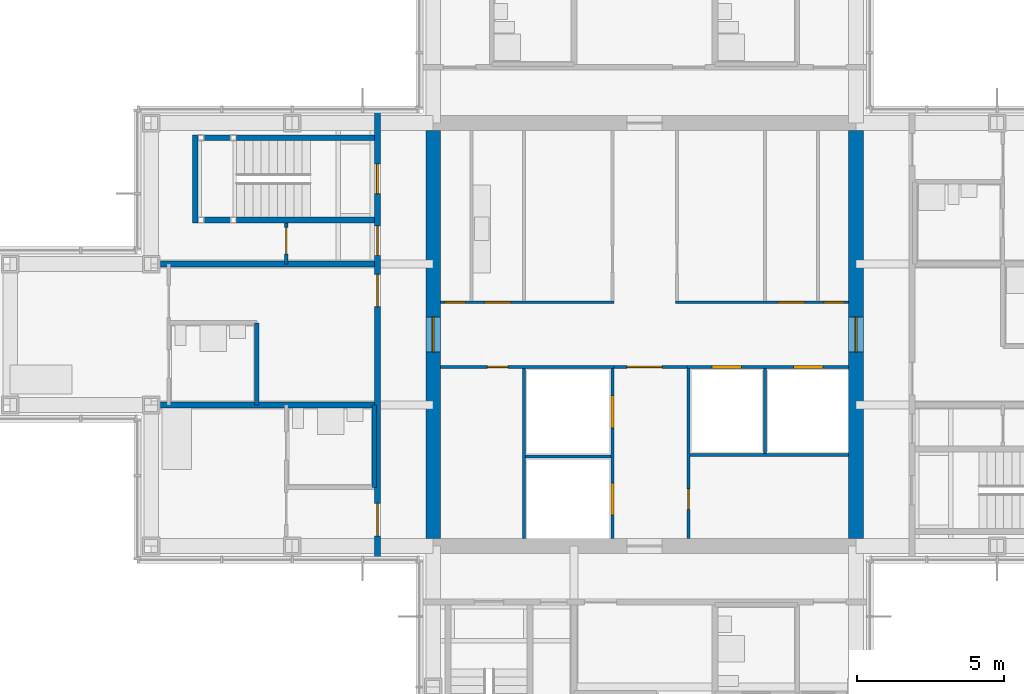
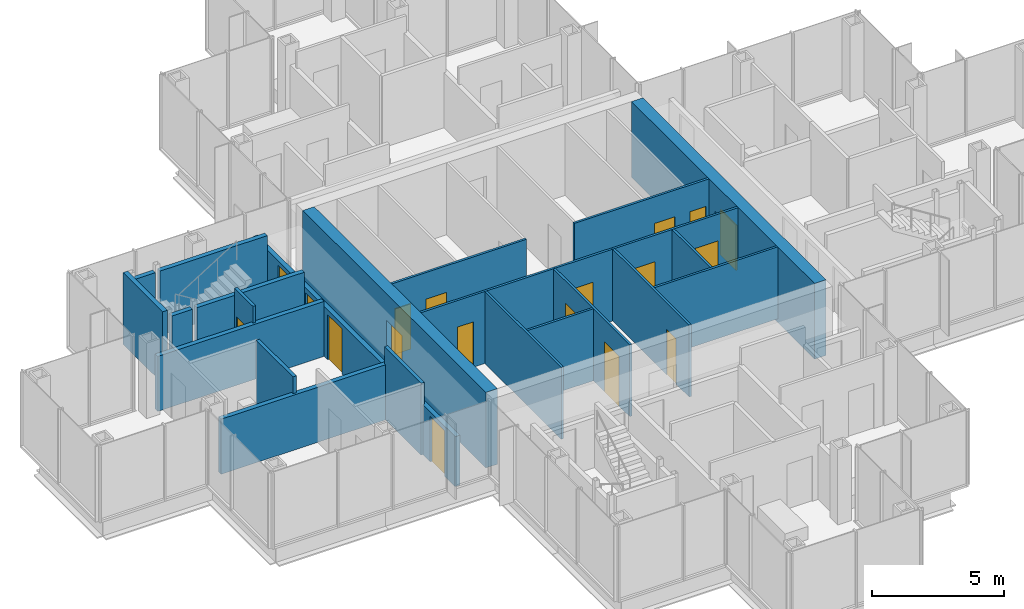
# One storey, part 12 of 17: 24 walls, 18 doors, 18 openings.
"""IFC4 building model written with IfcOpenShell, lengths in metres."""

from ifc_helpers import new_model, si_unit, direction, frame, frame_2d, origin, place, context, subcontext, project, spatial, rectangle, extrude, material, layer, layer_set, type_object, element, fill, save


model = new_model("IFC4")

# Units and contexts
model_context = context("Model", 3, precision=1e-05, world=origin(), true_north=direction((0.0, 1.0)))
body_context = subcontext(model_context, "Body", "Model", "MODEL_VIEW")
ifc_project = project(units=[si_unit("LENGTHUNIT", "METRE"), si_unit("AREAUNIT", "SQUARE_METRE"), si_unit("VOLUMEUNIT", "CUBIC_METRE"), si_unit("PLANEANGLEUNIT", "RADIAN"), si_unit("MASSUNIT", "GRAM", prefix="KILO")], contexts=[model_context])

# Site, building, storey
site_placement = place(None, origin())
site = spatial("IfcSite", under=ifc_project, at=site_placement, CompositionType="ELEMENT")
building_placement = place(site_placement, origin())
building = spatial("IfcBuilding", under=site, at=building_placement, Name="Kvirike Care Tower", CompositionType="ELEMENT")
storey_placement = place(building_placement, frame((0.0, 0.0, 179.5)))
storey = spatial("IfcBuildingStorey", under=building, at=storey_placement, Name="L49", CompositionType="ELEMENT", Elevation=179.5)

# Walls
ifc_material_1 = material(Name="Moisture-resistant board partition", Category="gypsum")
ifc_layer_1 = layer(ifc_material_1, 0.14990234375)
ifc_layer_set_1 = layer_set([ifc_layer_1], Name="BATHROOM WALL 150")
wall_type_1 = type_object("IfcWallType", Name="BATHROOM WALL 150", PredefinedType="PARTITIONING", material=ifc_layer_set_1)
wall_1_placement = place(storey_placement, frame((8.39990234375, 36.39990234375, 0.0), z_axis=(0.0, 0.0, 1.0), x_axis=(0.0, -1.0, 0.0)))
element("IfcWall", 1, at=wall_1_placement, inside=storey, type_object=wall_type_1, Name="Bathroom Wall 150 L49", PredefinedType="PARTITIONING", context=body_context, shape_type="SweptSolid", body=[
    extrude(rectangle(XDim=2.7998046875, YDim=0.14990234375, at=frame_2d((1.39990234375, 0.0))), origin(), (0.0, 0.0, 1.0), 3.330078125),
])
wall_2_placement = place(storey_placement, frame((12.39990234375, 33.60009765625, 0.0), z_axis=(0.0, 0.0, 1.0), x_axis=(0.0, -1.0, 0.0)))
element("IfcWall", 2, at=wall_2_placement, inside=storey, type_object=wall_type_1, Name="Bathroom Wall 150 L49", PredefinedType="PARTITIONING", context=body_context, shape_type="SweptSolid", body=[
    extrude(rectangle(XDim=2.800048828125, YDim=0.14990234375, at=frame_2d((1.39990234375, 0.0))), origin(), (0.0, 0.0, 1.0), 3.330078125),
])

# Wall, opening, door
ifc_material_2 = material(Name="Concrete C45/55", Category="concrete")
ifc_layer_2 = layer(ifc_material_2, 0.5)
ifc_layer_set_2 = layer_set([ifc_layer_2], Name="CORE WALL 500 C45-55")
wall_type_2 = type_object("IfcWallType", Name="CORE WALL 500 C45-55", PredefinedType="SHEAR", material=ifc_layer_set_2)
wall_3_placement = place(storey_placement, frame((14.39990234375, 42.949951171875, -0.169921875), z_axis=(0.0, 0.0, 1.0), x_axis=(0.0, -1.0, 0.0)))
wall_3 = element("IfcWall", 3, at=wall_3_placement, inside=storey, type_object=wall_type_2, Name="Core wall W L49", PredefinedType="SHEAR", context=body_context, shape_type="SweptSolid", body=[
    extrude(rectangle(XDim=13.89990234375, YDim=0.5, at=frame_2d((6.949951171875, 0.0))), origin(), (0.0, 0.0, 1.0), 3.5),
])
opening_1_placement = place(wall_3_placement, frame((6.35009765625, 0.0, 0.169921875)))
opening_1 = element("IfcOpeningElement", 4, at=opening_1_placement, cuts=wall_3, Name="Opening 49-050", PredefinedType="OPENING", context=body_context, shape_type="SweptSolid", body=[
    extrude(rectangle(XDim=1.199951171875, YDim=2.10009765625, at=frame_2d((0.60009765625, 1.050048828125))), frame((0.0, 0.260498046875, 0.0), z_axis=(0.0, -1.0, 0.0), x_axis=(1.0, 0.0, 0.0)), (0.0, 0.0, 1.0), 0.52099609375),
])
ifc_material_3 = material(Name="Timber door set", Category="wood")
door_type_1 = type_object("IfcDoorType", Name="CORE DOOR 1200", OperationType="SINGLE_SWING_LEFT", PredefinedType="DOOR", material=ifc_material_3)
door_1_placement = place(opening_1_placement, origin())
door_1 = element("IfcDoor", 5, at=door_1_placement, inside=storey, type_object=door_type_1, Name="Core door W L49", OperationType="SINGLE_SWING_LEFT", OverallHeight=2.10009765625, OverallWidth=1.199951171875, PredefinedType="DOOR", context=body_context, shape_type="SweptSolid", body=[
    extrude(rectangle(XDim=1.199951171875, YDim=2.10009765625, at=frame_2d((0.60009765625, 1.050048828125))), frame((0.0, 0.02685546875, 0.0), z_axis=(0.0, -1.0, 0.0), x_axis=(1.0, 0.0, 0.0)), (0.0, 0.0, 1.0), 0.053955078125),
])
fill(opening_1, door_1)

wall_4_placement = place(storey_placement, frame((28.800048828125, 29.050048828125, -0.169921875), z_axis=(0.0, 0.0, 1.0), x_axis=(0.0, 1.0, 0.0)))
wall_4 = element("IfcWall", 6, at=wall_4_placement, inside=storey, type_object=wall_type_2, Name="Core wall E L49", PredefinedType="SHEAR", context=body_context, shape_type="SweptSolid", body=[
    extrude(rectangle(XDim=13.89990234375, YDim=0.5, at=frame_2d((6.949951171875, 0.0))), origin(), (0.0, 0.0, 1.0), 3.5),
])
opening_2_placement = place(wall_4_placement, frame((6.35009765625, 0.0, 0.169921875)))
opening_2 = element("IfcOpeningElement", 7, at=opening_2_placement, cuts=wall_4, Name="Opening 49-051", PredefinedType="OPENING", context=body_context, shape_type="SweptSolid", body=[
    extrude(rectangle(XDim=1.199951171875, YDim=2.10009765625, at=frame_2d((0.60009765625, 1.050048828125))), frame((0.0, 0.260498046875, 0.0), z_axis=(0.0, -1.0, 0.0), x_axis=(1.0, 0.0, 0.0)), (0.0, 0.0, 1.0), 0.52099609375),
])
door_2_placement = place(opening_2_placement, origin())
door_2 = element("IfcDoor", 8, at=door_2_placement, inside=storey, type_object=door_type_1, Name="Core door E L49", OperationType="SINGLE_SWING_LEFT", OverallHeight=2.10009765625, OverallWidth=1.199951171875, PredefinedType="DOOR", context=body_context, shape_type="SweptSolid", body=[
    extrude(rectangle(XDim=1.199951171875, YDim=2.10009765625, at=frame_2d((0.60009765625, 1.050048828125))), frame((0.0, 0.02685546875, 0.0), z_axis=(0.0, -1.0, 0.0), x_axis=(1.0, 0.0, 0.0)), (0.0, 0.0, 1.0), 0.053955078125),
])
fill(opening_2, door_2)

# Wall, openings, doors
ifc_material_4 = material(Name="Plasterboard corridor wall", Category="gypsum")
ifc_layer_3 = layer(ifc_material_4, 0.199951171875)
ifc_layer_set_3 = layer_set([ifc_layer_3], Name="CORRIDOR WALL 200")
wall_type_3 = type_object("IfcWallType", Name="CORRIDOR WALL 200", PredefinedType="PARTITIONING", material=ifc_layer_set_3)
wall_5_placement = place(storey_placement, frame((12.5, 43.64990234375, 0.0), z_axis=(0.0, 0.0, 1.0), x_axis=(0.0, -1.0, 0.0)))
wall_5 = element("IfcWall", 9, at=wall_5_placement, inside=storey, type_object=wall_type_3, Name="Corridor Wall 200 L49", PredefinedType="PARTITIONING", context=body_context, shape_type="SweptSolid", body=[
    extrude(rectangle(XDim=15.2998046875, YDim=0.199951171875, at=frame_2d((7.64990234375, 0.0))), origin(), (0.0, 0.0, 1.0), 2.320068359375),
])
opening_3_placement = place(wall_5_placement, frame((1.85009765625, 0.0, 0.0)))
opening_3 = element("IfcOpeningElement", 10, at=opening_3_placement, cuts=wall_5, Name="Opening 49-006", PredefinedType="OPENING", context=body_context, shape_type="SweptSolid", body=[
    extrude(rectangle(XDim=1.0, YDim=2.10009765625, at=frame_2d((0.5, 1.050048828125))), frame((0.0, 0.110595703125, 0.0), z_axis=(0.0, -1.0, 0.0), x_axis=(1.0, 0.0, 0.0)), (0.0, 0.0, 1.0), 0.220947265625),
])
opening_4_placement = place(wall_5_placement, frame((3.949951171875, 0.0, 0.0)))
opening_4 = element("IfcOpeningElement", 11, at=opening_4_placement, cuts=wall_5, Name="Opening 49-007", PredefinedType="OPENING", context=body_context, shape_type="SweptSolid", body=[
    extrude(rectangle(XDim=1.0, YDim=2.10009765625, at=frame_2d((0.5, 1.050048828125))), frame((0.0, 0.110595703125, 0.0), z_axis=(0.0, -1.0, 0.0), x_axis=(1.0, 0.0, 0.0)), (0.0, 0.0, 1.0), 0.220947265625),
])
opening_5_placement = place(wall_5_placement, frame((5.60009765625, 0.0, 0.0)))
opening_5 = element("IfcOpeningElement", 12, at=opening_5_placement, cuts=wall_5, Name="Opening 49-008", PredefinedType="OPENING", context=body_context, shape_type="SweptSolid", body=[
    extrude(rectangle(XDim=1.10009765625, YDim=2.10009765625, at=frame_2d((0.550048828125, 1.050048828125))), frame((0.0, 0.110595703125, 0.0), z_axis=(0.0, -1.0, 0.0), x_axis=(1.0, 0.0, 0.0)), (0.0, 0.0, 1.0), 0.220947265625),
])
opening_6_placement = place(wall_5_placement, frame((13.39990234375, 0.0, 0.0)))
opening_6 = element("IfcOpeningElement", 13, at=opening_6_placement, cuts=wall_5, Name="Opening 49-009", PredefinedType="OPENING", context=body_context, shape_type="SweptSolid", body=[
    extrude(rectangle(XDim=1.10009765625, YDim=2.10009765625, at=frame_2d((0.550048828125, 1.050048828125))), frame((0.0, 0.110595703125, 0.0), z_axis=(0.0, -1.0, 0.0), x_axis=(1.0, 0.0, 0.0)), (0.0, 0.0, 1.0), 0.220947265625),
])
ifc_material_5 = material(Name="Timber door set", Category="wood")
door_type_2 = type_object("IfcDoorType", Name="BEDROOM ENTRANCE DOOR 1100", OperationType="SINGLE_SWING_LEFT", PredefinedType="DOOR", material=ifc_material_5)
door_3_placement = place(opening_5_placement, frame((1.10009765625, 0.0, 0.0), z_axis=(0.0, 0.0, 1.0), x_axis=(-1.0, 0.0, 0.0)))
door_3 = element("IfcDoor", 14, at=door_3_placement, inside=storey, type_object=door_type_2, Name="Memory care bedroom entrance", OperationType="SINGLE_SWING_LEFT", OverallHeight=2.10009765625, OverallWidth=1.10009765625, PredefinedType="DOOR", context=body_context, shape_type="SweptSolid", body=[
    extrude(rectangle(XDim=1.10009765625, YDim=2.10009765625, at=frame_2d((0.550048828125, 1.050048828125))), frame((0.0, 0.02685546875, 0.0), z_axis=(0.0, -1.0, 0.0), x_axis=(1.0, 0.0, 0.0)), (0.0, 0.0, 1.0), 0.053955078125),
])
fill(opening_5, door_3)
door_4_placement = place(opening_6_placement, frame((1.10009765625, 0.0, 0.0), z_axis=(0.0, 0.0, 1.0), x_axis=(-1.0, 0.0, 0.0)))
door_4 = element("IfcDoor", 15, at=door_4_placement, inside=storey, type_object=door_type_2, Name="Memory care bedroom entrance", OperationType="SINGLE_SWING_RIGHT", OverallHeight=2.10009765625, OverallWidth=1.10009765625, PredefinedType="DOOR", context=body_context, shape_type="SweptSolid", body=[
    extrude(rectangle(XDim=1.10009765625, YDim=2.10009765625, at=frame_2d((0.550048828125, 1.050048828125))), frame((0.0, 0.02685546875, 0.0), z_axis=(0.0, -1.0, 0.0), x_axis=(1.0, 0.0, 0.0)), (0.0, 0.0, 1.0), 0.053955078125),
])
fill(opening_6, door_4)
ifc_material_6 = material(Name="Timber door set", Category="wood")
door_type_3 = type_object("IfcDoorType", Name="FLAT ENTRANCE DOOR 1000", OperationType="SINGLE_SWING_LEFT", PredefinedType="DOOR", material=ifc_material_6)
door_5_placement = place(opening_4_placement, frame((1.0, 0.0, 0.0), z_axis=(0.0, 0.0, 1.0), x_axis=(-1.0, 0.0, 0.0)))
door_5 = element("IfcDoor", 16, at=door_5_placement, inside=storey, type_object=door_type_3, Name="Activity room entrance", OperationType="SINGLE_SWING_LEFT", OverallHeight=2.10009765625, OverallWidth=1.0, PredefinedType="DOOR", context=body_context, shape_type="SweptSolid", body=[
    extrude(rectangle(XDim=1.0, YDim=2.10009765625, at=frame_2d((0.5, 1.050048828125))), frame((0.0, 0.02685546875, 0.0), z_axis=(0.0, -1.0, 0.0), x_axis=(1.0, 0.0, 0.0)), (0.0, 0.0, 1.0), 0.053955078125),
])
fill(opening_4, door_5)
ifc_material_7 = material(Name="Timber door set", Category="wood")
door_type_4 = type_object("IfcDoorType", Name="STAIR DOOR 1000", OperationType="SINGLE_SWING_LEFT", PredefinedType="DOOR", material=ifc_material_7)
door_6_placement = place(opening_3_placement, frame((1.0, 0.0, 0.0), z_axis=(0.0, 0.0, 1.0), x_axis=(-1.0, 0.0, 0.0)))
door_6 = element("IfcDoor", 17, at=door_6_placement, inside=storey, type_object=door_type_4, Name="Stair 1 door", OperationType="SINGLE_SWING_LEFT", OverallHeight=2.10009765625, OverallWidth=1.0, PredefinedType="DOOR", context=body_context, shape_type="SweptSolid", body=[
    extrude(rectangle(XDim=1.0, YDim=2.10009765625, at=frame_2d((0.5, 1.050048828125))), frame((0.0, 0.031982421875, 0.0), z_axis=(0.0, -1.0, 0.0), x_axis=(1.0, 0.0, 0.0)), (0.0, 0.0, 1.0), 0.06396484375),
])
fill(opening_3, door_6)

# Wall, opening, door
ifc_material_8 = material(Name="Plasterboard partition", Category="gypsum")
ifc_layer_4 = layer(ifc_material_8, 0.1201171875)
ifc_layer_set_4 = layer_set([ifc_layer_4], Name="PARTITION 120")
wall_type_4 = type_object("IfcWallType", Name="PARTITION 120", PredefinedType="PARTITIONING", material=ifc_layer_set_4)
wall_6_placement = place(storey_placement, frame((9.39990234375, 39.800048828125, 0.0), z_axis=(0.0, 0.0, 1.0), x_axis=(0.0, -1.0, 0.0)))
wall_6 = element("IfcWall", 18, at=wall_6_placement, inside=storey, type_object=wall_type_4, Name="Partition 120 L49", PredefinedType="PARTITIONING", context=body_context, shape_type="SweptSolid", body=[
    extrude(rectangle(XDim=1.400146484375, YDim=0.1201171875, at=frame_2d((0.7001953125, 0.0))), origin(), (0.0, 0.0, 1.0), 3.330078125),
])
opening_7_placement = place(wall_6_placement, frame((0.14990234375, 0.0, 0.0)))
opening_7 = element("IfcOpeningElement", 19, at=opening_7_placement, cuts=wall_6, Name="Opening 49-001", PredefinedType="OPENING", context=body_context, shape_type="SweptSolid", body=[
    extrude(rectangle(XDim=0.89990234375, YDim=2.10009765625, at=frame_2d((0.449951171875, 1.050048828125))), frame((0.0, 0.070556640625, 0.0), z_axis=(0.0, -1.0, 0.0), x_axis=(1.0, 0.0, 0.0)), (0.0, 0.0, 1.0), 0.14111328125),
])
ifc_material_9 = material(Name="Timber door set", Category="wood")
door_type_5 = type_object("IfcDoorType", Name="INTERNAL DOOR 900", OperationType="SINGLE_SWING_LEFT", PredefinedType="DOOR", material=ifc_material_9)
door_7_placement = place(opening_7_placement, origin())
door_7 = element("IfcDoor", 20, at=door_7_placement, inside=storey, type_object=door_type_5, Name="Activity room door", OperationType="SINGLE_SWING_RIGHT", OverallHeight=2.10009765625, OverallWidth=0.89990234375, PredefinedType="DOOR", context=body_context, shape_type="SweptSolid", body=[
    extrude(rectangle(XDim=0.89990234375, YDim=2.10009765625, at=frame_2d((0.449951171875, 1.050048828125))), frame((0.0, 0.02197265625, 0.0), z_axis=(0.0, -1.0, 0.0), x_axis=(1.0, 0.0, 0.0)), (0.0, 0.0, 1.0), 0.0439453125),
])
fill(opening_7, door_7)

# Walls
ifc_material_10 = material(Name="Plasterboard party wall", Category="gypsum")
ifc_layer_5 = layer(ifc_material_10, 0.199951171875)
ifc_layer_set_5 = layer_set([ifc_layer_5], Name="PARTY WALL 200")
wall_type_5 = type_object("IfcWallType", Name="PARTY WALL 200", PredefinedType="PARTITIONING", material=ifc_layer_set_5)
for number, where, z_axis, x_axis, name in (
    (21, (5.1201171875, 38.39990234375, 0.0), (0.0, 0.0, 1.0), (1.0, 0.0, 0.0), "Party Wall 200 L49"),
    (22, (5.1201171875, 33.60009765625, 0.0), (0.0, 0.0, 1.0), (1.0, 0.0, 0.0), "Party Wall 200 L49"),
):
    element("IfcWall", number, at=place(storey_placement, frame(where, z_axis=z_axis, x_axis=x_axis)), inside=storey, type_object=wall_type_5, Name=name, PredefinedType="PARTITIONING", context=body_context, shape_type="SweptSolid", body=[
        extrude(rectangle(XDim=7.27978515625, YDim=0.199951171875, at=frame_2d((3.639892578125, 0.0))), origin(), (0.0, 0.0, 1.0), 2.550048828125),
    ])

# Wall, openings, doors
ifc_material_11 = material(Name="Gypsum shaft wall system", Category="gypsum")
ifc_layer_6 = layer(ifc_material_11, 0.10009765625)
ifc_layer_set_6 = layer_set([ifc_layer_6], Name="SHAFT WALL 100")
wall_type_6 = type_object("IfcWallType", Name="SHAFT WALL 100", PredefinedType="SOLIDWALL", material=ifc_layer_set_6)
wall_7_placement = place(storey_placement, frame((20.5, 29.050048828125, 0.0), z_axis=(0.0, 0.0, 1.0), x_axis=(0.0, 1.0, 0.0)))
wall_7 = element("IfcWall", 23, at=wall_7_placement, inside=storey, type_object=wall_type_6, Name="Shaft Wall 100 L49", PredefinedType="SOLIDWALL", context=body_context, shape_type="SweptSolid", body=[
    extrude(rectangle(XDim=5.800048828125, YDim=0.10009765625, at=frame_2d((2.89990234375, 0.0))), origin(), (0.0, 0.0, 1.0), 3.330078125),
])
opening_8_placement = place(wall_7_placement, frame((0.800048828125, 0.0, 0.0)))
opening_8 = element("IfcOpeningElement", 24, at=opening_8_placement, cuts=wall_7, Name="Opening 49-036", PredefinedType="OPENING", context=body_context, shape_type="SweptSolid", body=[
    extrude(rectangle(XDim=1.10009765625, YDim=2.300048828125, at=frame_2d((0.550048828125, 1.14990234375))), frame((0.0, 0.060546875, 0.0), z_axis=(0.0, -1.0, 0.0), x_axis=(1.0, 0.0, 0.0)), (0.0, 0.0, 1.0), 0.12109375),
])
opening_9_placement = place(wall_7_placement, frame((3.77490234375, 0.0, 0.0)))
opening_9 = element("IfcOpeningElement", 25, at=opening_9_placement, cuts=wall_7, Name="Opening 49-037", PredefinedType="OPENING", context=body_context, shape_type="SweptSolid", body=[
    extrude(rectangle(XDim=1.10009765625, YDim=2.300048828125, at=frame_2d((0.550048828125, 1.14990234375))), frame((0.0, 0.060546875, 0.0), z_axis=(0.0, -1.0, 0.0), x_axis=(1.0, 0.0, 0.0)), (0.0, 0.0, 1.0), 0.12109375),
])
ifc_material_12 = material(Name="Aluminium door frame", Category="aluminium")
door_type_6 = type_object("IfcDoorType", Name="FIRE-FIGHTING LIFT LANDING DOOR 1100", OperationType="SLIDING_TO_LEFT", PredefinedType="DOOR", material=ifc_material_12)
door_8_placement = place(opening_8_placement, origin())
door_8 = element("IfcDoor", 26, at=door_8_placement, inside=storey, type_object=door_type_6, Name="Lift FF1 landing door", OperationType="SLIDING_TO_LEFT", OverallHeight=2.300048828125, OverallWidth=1.10009765625, PredefinedType="DOOR", context=body_context, shape_type="SweptSolid", body=[
    extrude(rectangle(XDim=1.10009765625, YDim=2.300048828125, at=frame_2d((0.550048828125, 1.14990234375))), frame((0.0, 0.0498046875, 0.0), z_axis=(0.0, -1.0, 0.0), x_axis=(1.0, 0.0, 0.0)), (0.0, 0.0, 1.0), 0.099609375),
])
fill(opening_8, door_8)
door_9_placement = place(opening_9_placement, origin())
door_9 = element("IfcDoor", 27, at=door_9_placement, inside=storey, type_object=door_type_6, Name="Lift FF2 landing door", OperationType="SLIDING_TO_LEFT", OverallHeight=2.300048828125, OverallWidth=1.10009765625, PredefinedType="DOOR", context=body_context, shape_type="SweptSolid", body=[
    extrude(rectangle(XDim=1.10009765625, YDim=2.300048828125, at=frame_2d((0.550048828125, 1.14990234375))), frame((0.0, 0.0498046875, 0.0), z_axis=(0.0, -1.0, 0.0), x_axis=(1.0, 0.0, 0.0)), (0.0, 0.0, 1.0), 0.099609375),
])
fill(opening_9, door_9)

# Wall, opening, door
wall_8_placement = place(storey_placement, frame((23.10009765625, 29.050048828125, 0.0), z_axis=(0.0, 0.0, 1.0), x_axis=(0.0, 1.0, 0.0)))
wall_8 = element("IfcWall", 28, at=wall_8_placement, inside=storey, type_object=wall_type_6, Name="Shaft Wall 100 L49", PredefinedType="SOLIDWALL", context=body_context, shape_type="SweptSolid", body=[
    extrude(rectangle(XDim=5.800048828125, YDim=0.10009765625, at=frame_2d((2.89990234375, 0.0))), origin(), (0.0, 0.0, 1.0), 3.330078125),
])
opening_10_placement = place(wall_8_placement, frame((1.0, 0.0, 0.0)))
opening_10 = element("IfcOpeningElement", 29, at=opening_10_placement, cuts=wall_8, Name="Opening 49-040", PredefinedType="OPENING", context=body_context, shape_type="SweptSolid", body=[
    extrude(rectangle(XDim=0.699951171875, YDim=2.10009765625, at=frame_2d((0.35009765625, 1.050048828125))), frame((0.0, 0.060546875, 0.0), z_axis=(0.0, -1.0, 0.0), x_axis=(1.0, 0.0, 0.0)), (0.0, 0.0, 1.0), 0.12109375),
])
ifc_material_13 = material(Name="Timber door set", Category="wood")
door_type_7 = type_object("IfcDoorType", Name="RISER DOOR 700", OperationType="SINGLE_SWING_LEFT", PredefinedType="DOOR", material=ifc_material_13)
door_10_placement = place(opening_10_placement, origin())
door_10 = element("IfcDoor", 30, at=door_10_placement, inside=storey, type_object=door_type_7, Name="Riser door", OperationType="SINGLE_SWING_RIGHT", OverallHeight=2.10009765625, OverallWidth=0.699951171875, PredefinedType="DOOR", context=body_context, shape_type="SweptSolid", body=[
    extrude(rectangle(XDim=0.699951171875, YDim=2.10009765625, at=frame_2d((0.35009765625, 1.050048828125))), frame((0.0, 0.02685546875, 0.0), z_axis=(0.0, -1.0, 0.0), x_axis=(1.0, 0.0, 0.0)), (0.0, 0.0, 1.0), 0.053955078125),
])
fill(opening_10, door_10)

wall_9_placement = place(storey_placement, frame((14.64990234375, 34.89990234375, 0.0), z_axis=(0.0, 0.0, 1.0), x_axis=(1.0, 0.0, 0.0)))
wall_9 = element("IfcWall", 31, at=wall_9_placement, inside=storey, type_object=wall_type_6, Name="Shaft Wall 100 L49", PredefinedType="SOLIDWALL", context=body_context, shape_type="SweptSolid", body=[
    extrude(rectangle(XDim=5.900146484375, YDim=0.10009765625, at=frame_2d((2.9501953125, 0.0))), origin(), (0.0, 0.0, 1.0), 3.330078125),
])
opening_11_placement = place(wall_9_placement, frame((1.60009765625, 0.0, 0.0)))
opening_11 = element("IfcOpeningElement", 32, at=opening_11_placement, cuts=wall_9, Name="Opening 49-041", PredefinedType="OPENING", context=body_context, shape_type="SweptSolid", body=[
    extrude(rectangle(XDim=0.699951171875, YDim=2.10009765625, at=frame_2d((0.35009765625, 1.050048828125))), frame((0.0, 0.060546875, 0.0), z_axis=(0.0, -1.0, 0.0), x_axis=(1.0, 0.0, 0.0)), (0.0, 0.0, 1.0), 0.12109375),
])
door_11_placement = place(opening_11_placement, frame((0.699951171875, 0.0, 0.0), z_axis=(0.0, 0.0, 1.0), x_axis=(-1.0, 0.0, 0.0)))
door_11 = element("IfcDoor", 33, at=door_11_placement, inside=storey, type_object=door_type_7, Name="Riser door", OperationType="SINGLE_SWING_RIGHT", OverallHeight=2.10009765625, OverallWidth=0.699951171875, PredefinedType="DOOR", context=body_context, shape_type="SweptSolid", body=[
    extrude(rectangle(XDim=0.699951171875, YDim=2.10009765625, at=frame_2d((0.35009765625, 1.050048828125))), frame((0.0, 0.02685546875, 0.0), z_axis=(0.0, -1.0, 0.0), x_axis=(1.0, 0.0, 0.0)), (0.0, 0.0, 1.0), 0.053955078125),
])
fill(opening_11, door_11)

# Wall, openings, doors
wall_10_placement = place(storey_placement, frame((23.050048828125, 34.89990234375, 0.0), z_axis=(0.0, 0.0, 1.0), x_axis=(1.0, 0.0, 0.0)))
wall_10 = element("IfcWall", 34, at=wall_10_placement, inside=storey, type_object=wall_type_6, Name="Shaft Wall 100 L49", PredefinedType="SOLIDWALL", context=body_context, shape_type="SweptSolid", body=[
    extrude(rectangle(XDim=5.5, YDim=0.10009765625, at=frame_2d((2.75, 0.0))), origin(), (0.0, 0.0, 1.0), 3.330078125),
])
opening_12_placement = place(wall_10_placement, frame((0.85009765625, 0.0, 0.0)))
opening_12 = element("IfcOpeningElement", 35, at=opening_12_placement, cuts=wall_10, Name="Opening 49-042", PredefinedType="OPENING", context=body_context, shape_type="SweptSolid", body=[
    extrude(rectangle(XDim=1.0, YDim=2.10009765625, at=frame_2d((0.5, 1.050048828125))), frame((0.0, 0.060546875, 0.0), z_axis=(0.0, -1.0, 0.0), x_axis=(1.0, 0.0, 0.0)), (0.0, 0.0, 1.0), 0.12109375),
])
opening_13_placement = place(wall_10_placement, frame((3.625, 0.0, 0.0)))
opening_13 = element("IfcOpeningElement", 36, at=opening_13_placement, cuts=wall_10, Name="Opening 49-043", PredefinedType="OPENING", context=body_context, shape_type="SweptSolid", body=[
    extrude(rectangle(XDim=1.0, YDim=2.10009765625, at=frame_2d((0.5, 1.050048828125))), frame((0.0, 0.060546875, 0.0), z_axis=(0.0, -1.0, 0.0), x_axis=(1.0, 0.0, 0.0)), (0.0, 0.0, 1.0), 0.12109375),
])
ifc_material_14 = material(Name="Aluminium door frame", Category="aluminium")
door_type_8 = type_object("IfcDoorType", Name="LIFT LANDING DOOR 1000", OperationType="SLIDING_TO_LEFT", PredefinedType="DOOR", material=ifc_material_14)
door_12_placement = place(opening_12_placement, origin())
door_12 = element("IfcDoor", 37, at=door_12_placement, inside=storey, type_object=door_type_8, Name="Lift P5 landing door", OperationType="SLIDING_TO_LEFT", OverallHeight=2.10009765625, OverallWidth=1.0, PredefinedType="DOOR", context=body_context, shape_type="SweptSolid", body=[
    extrude(rectangle(XDim=1.0, YDim=2.10009765625, at=frame_2d((0.5, 1.050048828125))), frame((0.0, 0.0498046875, 0.0), z_axis=(0.0, -1.0, 0.0), x_axis=(1.0, 0.0, 0.0)), (0.0, 0.0, 1.0), 0.099609375),
])
fill(opening_12, door_12)
door_13_placement = place(opening_13_placement, origin())
door_13 = element("IfcDoor", 38, at=door_13_placement, inside=storey, type_object=door_type_8, Name="Lift P6 landing door", OperationType="SLIDING_TO_LEFT", OverallHeight=2.10009765625, OverallWidth=1.0, PredefinedType="DOOR", context=body_context, shape_type="SweptSolid", body=[
    extrude(rectangle(XDim=1.0, YDim=2.10009765625, at=frame_2d((0.5, 1.050048828125))), frame((0.0, 0.0498046875, 0.0), z_axis=(0.0, -1.0, 0.0), x_axis=(1.0, 0.0, 0.0)), (0.0, 0.0, 1.0), 0.099609375),
])
fill(opening_13, door_13)

wall_11_placement = place(storey_placement, frame((14.64990234375, 37.10009765625, 0.0), z_axis=(0.0, 0.0, 1.0), x_axis=(1.0, 0.0, 0.0)))
wall_11 = element("IfcWall", 39, at=wall_11_placement, inside=storey, type_object=wall_type_6, Name="Shaft Wall 100 L49", PredefinedType="SOLIDWALL", context=body_context, shape_type="SweptSolid", body=[
    extrude(rectangle(XDim=5.900146484375, YDim=0.10009765625, at=frame_2d((2.9501953125, 0.0))), origin(), (0.0, 0.0, 1.0), 3.330078125),
])
opening_14_placement = place(wall_11_placement, frame((0.14990234375, 0.0, 0.0)))
opening_14 = element("IfcOpeningElement", 40, at=opening_14_placement, cuts=wall_11, Name="Opening 49-044", PredefinedType="OPENING", context=body_context, shape_type="SweptSolid", body=[
    extrude(rectangle(XDim=0.699951171875, YDim=2.10009765625, at=frame_2d((0.35009765625, 1.050048828125))), frame((0.0, 0.060546875, 0.0), z_axis=(0.0, -1.0, 0.0), x_axis=(1.0, 0.0, 0.0)), (0.0, 0.0, 1.0), 0.12109375),
])
opening_15_placement = place(wall_11_placement, frame((1.5, 0.0, 0.0)))
opening_15 = element("IfcOpeningElement", 41, at=opening_15_placement, cuts=wall_11, Name="Opening 49-045", PredefinedType="OPENING", context=body_context, shape_type="SweptSolid", body=[
    extrude(rectangle(XDim=0.89990234375, YDim=2.10009765625, at=frame_2d((0.449951171875, 1.050048828125))), frame((0.0, 0.060546875, 0.0), z_axis=(0.0, -1.0, 0.0), x_axis=(1.0, 0.0, 0.0)), (0.0, 0.0, 1.0), 0.12109375),
])
door_14_placement = place(opening_14_placement, origin())
door_14 = element("IfcDoor", 42, at=door_14_placement, inside=storey, type_object=door_type_7, Name="Riser door", OperationType="SINGLE_SWING_RIGHT", OverallHeight=2.10009765625, OverallWidth=0.699951171875, PredefinedType="DOOR", context=body_context, shape_type="SweptSolid", body=[
    extrude(rectangle(XDim=0.699951171875, YDim=2.10009765625, at=frame_2d((0.35009765625, 1.050048828125))), frame((0.0, 0.02685546875, 0.0), z_axis=(0.0, -1.0, 0.0), x_axis=(1.0, 0.0, 0.0)), (0.0, 0.0, 1.0), 0.053955078125),
])
fill(opening_14, door_14)
ifc_material_15 = material(Name="Timber door set", Category="wood")
door_type_9 = type_object("IfcDoorType", Name="STORE DOOR 900", OperationType="SINGLE_SWING_LEFT", PredefinedType="DOOR", material=ifc_material_15)
door_15_placement = place(opening_15_placement, origin())
door_15 = element("IfcDoor", 43, at=door_15_placement, inside=storey, type_object=door_type_9, Name="Resident pantry door", OperationType="SINGLE_SWING_LEFT", OverallHeight=2.10009765625, OverallWidth=0.89990234375, PredefinedType="DOOR", context=body_context, shape_type="SweptSolid", body=[
    extrude(rectangle(XDim=0.89990234375, YDim=2.10009765625, at=frame_2d((0.449951171875, 1.050048828125))), frame((0.0, 0.02685546875, 0.0), z_axis=(0.0, -1.0, 0.0), x_axis=(1.0, 0.0, 0.0)), (0.0, 0.0, 1.0), 0.053955078125),
])
fill(opening_15, door_15)

wall_12_placement = place(storey_placement, frame((22.64990234375, 37.10009765625, 0.0), z_axis=(0.0, 0.0, 1.0), x_axis=(1.0, 0.0, 0.0)))
wall_12 = element("IfcWall", 44, at=wall_12_placement, inside=storey, type_object=wall_type_6, Name="Shaft Wall 100 L49", PredefinedType="SOLIDWALL", context=body_context, shape_type="SweptSolid", body=[
    extrude(rectangle(XDim=5.900146484375, YDim=0.10009765625, at=frame_2d((2.9501953125, 0.0))), origin(), (0.0, 0.0, 1.0), 3.330078125),
])
opening_16_placement = place(wall_12_placement, frame((3.5, 0.0, 0.0)))
opening_16 = element("IfcOpeningElement", 45, at=opening_16_placement, cuts=wall_12, Name="Opening 49-046", PredefinedType="OPENING", context=body_context, shape_type="SweptSolid", body=[
    extrude(rectangle(XDim=0.89990234375, YDim=2.10009765625, at=frame_2d((0.449951171875, 1.050048828125))), frame((0.0, 0.060546875, 0.0), z_axis=(0.0, -1.0, 0.0), x_axis=(1.0, 0.0, 0.0)), (0.0, 0.0, 1.0), 0.12109375),
])
opening_17_placement = place(wall_12_placement, frame((5.050048828125, 0.0, 0.0)))
opening_17 = element("IfcOpeningElement", 46, at=opening_17_placement, cuts=wall_12, Name="Opening 49-047", PredefinedType="OPENING", context=body_context, shape_type="SweptSolid", body=[
    extrude(rectangle(XDim=0.699951171875, YDim=2.10009765625, at=frame_2d((0.35009765625, 1.050048828125))), frame((0.0, 0.060546875, 0.0), z_axis=(0.0, -1.0, 0.0), x_axis=(1.0, 0.0, 0.0)), (0.0, 0.0, 1.0), 0.12109375),
])
door_16_placement = place(opening_17_placement, origin())
door_16 = element("IfcDoor", 47, at=door_16_placement, inside=storey, type_object=door_type_7, Name="Riser door", OperationType="SINGLE_SWING_LEFT", OverallHeight=2.10009765625, OverallWidth=0.699951171875, PredefinedType="DOOR", context=body_context, shape_type="SweptSolid", body=[
    extrude(rectangle(XDim=0.699951171875, YDim=2.10009765625, at=frame_2d((0.35009765625, 1.050048828125))), frame((0.0, 0.02685546875, 0.0), z_axis=(0.0, -1.0, 0.0), x_axis=(1.0, 0.0, 0.0)), (0.0, 0.0, 1.0), 0.053955078125),
])
fill(opening_17, door_16)
door_17_placement = place(opening_16_placement, origin())
door_17 = element("IfcDoor", 48, at=door_17_placement, inside=storey, type_object=door_type_9, Name="Cleaners store door", OperationType="SINGLE_SWING_LEFT", OverallHeight=2.10009765625, OverallWidth=0.89990234375, PredefinedType="DOOR", context=body_context, shape_type="SweptSolid", body=[
    extrude(rectangle(XDim=0.89990234375, YDim=2.10009765625, at=frame_2d((0.449951171875, 1.050048828125))), frame((0.0, 0.02685546875, 0.0), z_axis=(0.0, -1.0, 0.0), x_axis=(1.0, 0.0, 0.0)), (0.0, 0.0, 1.0), 0.053955078125),
])
fill(opening_16, door_17)

# Wall, opening, door
wall_13_placement = place(storey_placement, frame((20.550048828125, 34.89990234375, 0.0), z_axis=(0.0, 0.0, 1.0), x_axis=(1.0, 0.0, 0.0)))
wall_13 = element("IfcWall", 49, at=wall_13_placement, inside=storey, type_object=wall_type_6, Name="Shaft Wall 100 L49", PredefinedType="SOLIDWALL", context=body_context, shape_type="SweptSolid", body=[
    extrude(rectangle(XDim=2.5, YDim=0.10009765625, at=frame_2d((1.25, 0.0))), origin(), (0.0, 0.0, 1.0), 3.330078125),
])
opening_18_placement = place(wall_13_placement, frame((0.449951171875, 0.0, 0.0)))
opening_18 = element("IfcOpeningElement", 50, at=opening_18_placement, cuts=wall_13, Name="Opening 49-048", PredefinedType="OPENING", context=body_context, shape_type="SweptSolid", body=[
    extrude(rectangle(XDim=1.199951171875, YDim=2.10009765625, at=frame_2d((0.60009765625, 1.050048828125))), frame((0.0, 0.060546875, 0.0), z_axis=(0.0, -1.0, 0.0), x_axis=(1.0, 0.0, 0.0)), (0.0, 0.0, 1.0), 0.12109375),
])
door_18_placement = place(opening_18_placement, frame((1.199951171875, 0.0, 0.0), z_axis=(0.0, 0.0, 1.0), x_axis=(-1.0, 0.0, 0.0)))
door_18 = element("IfcDoor", 51, at=door_18_placement, inside=storey, type_object=door_type_1, Name="Fire-fighting lobby door", OperationType="SINGLE_SWING_LEFT", OverallHeight=2.10009765625, OverallWidth=1.199951171875, PredefinedType="DOOR", context=body_context, shape_type="SweptSolid", body=[
    extrude(rectangle(XDim=1.199951171875, YDim=2.10009765625, at=frame_2d((0.60009765625, 1.050048828125))), frame((0.0, 0.02685546875, 0.0), z_axis=(0.0, -1.0, 0.0), x_axis=(1.0, 0.0, 0.0)), (0.0, 0.0, 1.0), 0.053955078125),
])
fill(opening_18, door_18)

# Walls
wall_14_placement = place(storey_placement, frame((17.5, 29.050048828125, 0.0), z_axis=(0.0, 0.0, 1.0), x_axis=(0.0, 1.0, 0.0)))
element("IfcWall", 52, at=wall_14_placement, inside=storey, type_object=wall_type_6, Name="Shaft Wall 100 L49", PredefinedType="SOLIDWALL", context=body_context, shape_type="SweptSolid", body=[
    extrude(rectangle(XDim=5.800048828125, YDim=0.10009765625, at=frame_2d((2.89990234375, 0.0))), origin(), (0.0, 0.0, 1.0), 3.330078125),
])
wall_15_placement = place(storey_placement, frame((17.550048828125, 31.85009765625, 0.0), z_axis=(0.0, 0.0, 1.0), x_axis=(1.0, 0.0, 0.0)))
element("IfcWall", 53, at=wall_15_placement, inside=storey, type_object=wall_type_6, Name="Shaft Wall 100 L49", PredefinedType="SOLIDWALL", context=body_context, shape_type="SweptSolid", body=[
    extrude(rectangle(XDim=2.89990234375, YDim=0.10009765625, at=frame_2d((1.449951171875, 0.0))), origin(), (0.0, 0.0, 1.0), 3.330078125),
])
wall_16_placement = place(storey_placement, frame((25.699951171875, 31.949951171875, 0.0), z_axis=(0.0, 0.0, 1.0), x_axis=(0.0, 1.0, 0.0)))
element("IfcWall", 54, at=wall_16_placement, inside=storey, type_object=wall_type_6, Name="Shaft Wall 100 L49", PredefinedType="SOLIDWALL", context=body_context, shape_type="SweptSolid", body=[
    extrude(rectangle(XDim=2.900146484375, YDim=0.10009765625, at=frame_2d((1.4501953125, 0.0))), origin(), (0.0, 0.0, 1.0), 3.330078125),
])
wall_17_placement = place(storey_placement, frame((23.14990234375, 31.89990234375, 0.0), z_axis=(0.0, 0.0, 1.0), x_axis=(1.0, 0.0, 0.0)))
element("IfcWall", 55, at=wall_17_placement, inside=storey, type_object=wall_type_6, Name="Shaft Wall 100 L49", PredefinedType="SOLIDWALL", context=body_context, shape_type="SweptSolid", body=[
    extrude(rectangle(XDim=5.400146484375, YDim=0.10009765625, at=frame_2d((2.7001953125, 0.0))), origin(), (0.0, 0.0, 1.0), 3.330078125),
])
ifc_material_16 = material(Name="Concrete C40/50", Category="concrete")
ifc_layer_7 = layer(ifc_material_16, 0.199951171875)
ifc_layer_set_7 = layer_set([ifc_layer_7], Name="STAIR WALL 200")
wall_type_7 = type_object("IfcWallType", Name="STAIR WALL 200", PredefinedType="SOLIDWALL", material=ifc_layer_set_7)
wall_18_placement = place(storey_placement, frame((6.60009765625, 42.699951171875, 0.0), z_axis=(0.0, 0.0, 1.0), x_axis=(1.0, 0.0, 0.0)))
element("IfcWall", 56, at=wall_18_placement, inside=storey, type_object=wall_type_7, Name="Stair Wall 200 L49", PredefinedType="SOLIDWALL", context=body_context, shape_type="SweptSolid", body=[
    extrude(rectangle(XDim=0.89990234375, YDim=0.199951171875, at=frame_2d((0.449951171875, 0.0))), origin(), (0.0, 0.0, 1.0), 2.989990234375),
])
wall_19_placement = place(storey_placement, frame((7.699951171875, 42.699951171875, 0.0), z_axis=(0.0, 0.0, 1.0), x_axis=(1.0, 0.0, 0.0)))
element("IfcWall", 57, at=wall_19_placement, inside=storey, type_object=wall_type_7, Name="Stair Wall 200 L49", PredefinedType="SOLIDWALL", context=body_context, shape_type="SweptSolid", body=[
    extrude(rectangle(XDim=4.699951171875, YDim=0.199951171875, at=frame_2d((2.35009765625, 0.0))), origin(), (0.0, 0.0, 1.0), 2.989990234375),
])
wall_20_placement = place(storey_placement, frame((6.60009765625, 39.89990234375, 0.0), z_axis=(0.0, 0.0, 1.0), x_axis=(1.0, 0.0, 0.0)))
element("IfcWall", 58, at=wall_20_placement, inside=storey, type_object=wall_type_7, Name="Stair Wall 200 L49", PredefinedType="SOLIDWALL", context=body_context, shape_type="SweptSolid", body=[
    extrude(rectangle(XDim=0.89990234375, YDim=0.199951171875, at=frame_2d((0.449951171875, 0.0))), origin(), (0.0, 0.0, 1.0), 2.989990234375),
])
wall_21_placement = place(storey_placement, frame((7.699951171875, 39.89990234375, 0.0), z_axis=(0.0, 0.0, 1.0), x_axis=(1.0, 0.0, 0.0)))
element("IfcWall", 59, at=wall_21_placement, inside=storey, type_object=wall_type_7, Name="Stair Wall 200 L49", PredefinedType="SOLIDWALL", context=body_context, shape_type="SweptSolid", body=[
    extrude(rectangle(XDim=4.699951171875, YDim=0.199951171875, at=frame_2d((2.35009765625, 0.0))), origin(), (0.0, 0.0, 1.0), 2.989990234375),
])
wall_22_placement = place(storey_placement, frame((6.300048828125, 42.800048828125, 0.0), z_axis=(0.0, 0.0, 1.0), x_axis=(0.0, -1.0, 0.0)))
element("IfcWall", 60, at=wall_22_placement, inside=storey, type_object=wall_type_7, Name="Stair Wall 200 L49", PredefinedType="SOLIDWALL", context=body_context, shape_type="SweptSolid", body=[
    extrude(rectangle(XDim=3.0, YDim=0.199951171875, at=frame_2d((1.5, 0.0))), origin(), (0.0, 0.0, 1.0), 3.330078125),
])

save(model, "model.ifc")
